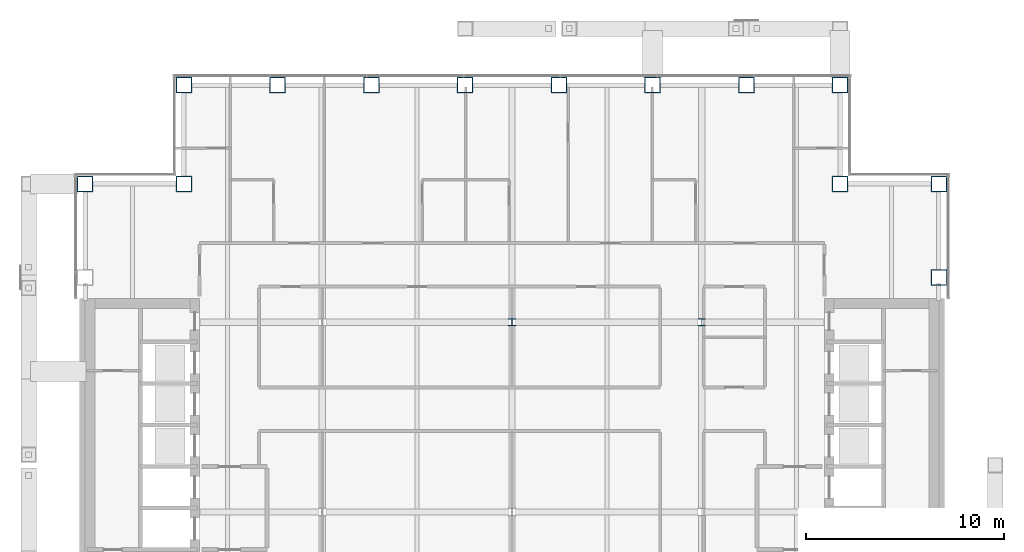
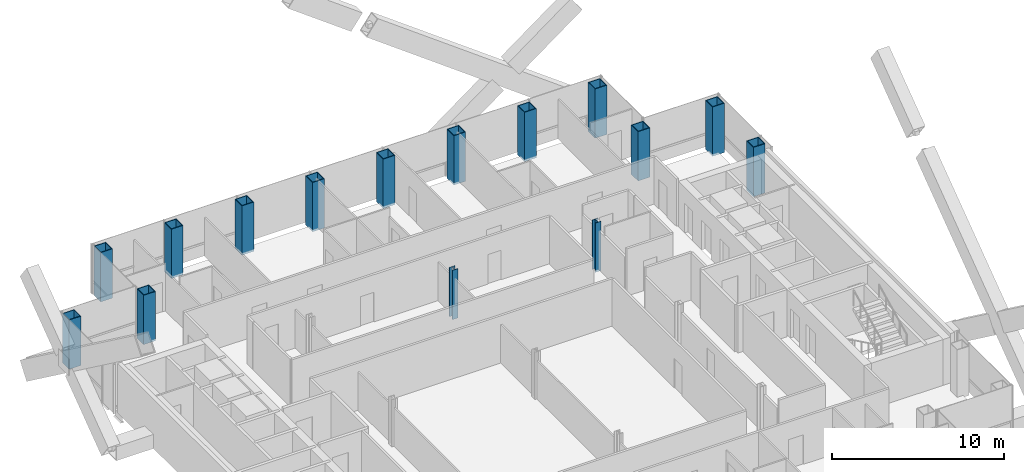
# One storey, part 2 of 16: 15 columns.
"""IFC4 building model written with IfcOpenShell, lengths in metres."""

from ifc_helpers import new_model, si_unit, direction, frame, origin, origin_2d, place, context, subcontext, project, spatial, hollow_rectangle, i_section, extrude, material, material_profile, profile_set, type_object, element, save


model = new_model("IFC4")

# Units and contexts
model_context = context("Model", 3, precision=1e-05, world=origin(), true_north=direction((0.0, 1.0)))
body_context = subcontext(model_context, "Body", "Model", "MODEL_VIEW")
ifc_project = project(units=[si_unit("LENGTHUNIT", "METRE"), si_unit("AREAUNIT", "SQUARE_METRE"), si_unit("VOLUMEUNIT", "CUBIC_METRE"), si_unit("PLANEANGLEUNIT", "RADIAN"), si_unit("MASSUNIT", "GRAM", prefix="KILO")], contexts=[model_context])

# Site, building, storey
site_placement = place(None, origin())
site = spatial("IfcSite", under=ifc_project, at=site_placement, CompositionType="ELEMENT")
building_placement = place(site_placement, origin())
building = spatial("IfcBuilding", under=site, at=building_placement, Name="Cobrizo Arcos Hotel Tower", CompositionType="ELEMENT")
storey_placement = place(building_placement, frame((0.0, 0.0, 172.5)))
storey = spatial("IfcBuildingStorey", under=building, at=storey_placement, Name="L44", CompositionType="ELEMENT", Elevation=172.5)

# Columns
ifc_material_1 = material(Name="Steel ASTM A572 Grade 50", Category="steel")
ifc_material_profile_1 = material_profile(ifc_material_1, hollow_rectangle(XDim=0.800048828125, YDim=0.800048828125, WallThickness=0.044921875, at=origin_2d()), Name="BOX 800X800X45")
ifc_profile_set_1 = profile_set([ifc_material_profile_1], Name="Steel ASTM A572 Grade 50")
column_type_1 = type_object("IfcColumnType", Name="BOX 800X800X45 column", PredefinedType="COLUMN", material=ifc_profile_set_1)
for number, where, z_axis, x_axis, name in (
    (1, (-16.60009765625, 21.60009765625, -0.14990234375), (0.0, 0.0, 1.0), (1.0, 0.0, 0.0), "Perimeter column C8, L44, no. 00"),
    (2, (-11.85693359375, 21.60009765625, -0.14990234375), (0.0, 0.0, 1.0), (1.0, 0.0, 0.0), "Perimeter column C8, L44, no. 02"),
    (3, (-7.114013671875, 21.60009765625, -0.14990234375), (0.0, 0.0, 1.0), (1.0, 0.0, 0.0), "Perimeter column C8, L44, no. 04"),
    (4, (-2.37109375, 21.60009765625, -0.14990234375), (0.0, 0.0, 1.0), (1.0, 0.0, 0.0), "Perimeter column C8, L44, no. 06"),
    (5, (2.37109375, 21.60009765625, -0.14990234375), (0.0, 0.0, 1.0), (1.0, 0.0, 0.0), "Perimeter column C8, L44, no. 08"),
    (6, (7.114013671875, 21.60009765625, -0.14990234375), (0.0, 0.0, 1.0), (1.0, 0.0, 0.0), "Perimeter column C8, L44, no. 10"),
    (7, (11.85693359375, 21.60009765625, -0.14990234375), (0.0, 0.0, 1.0), (1.0, 0.0, 0.0), "Perimeter column C8, L44, no. 12"),
    (8, (16.60009765625, 21.60009765625, -0.14990234375), (0.0, 0.0, 1.0), (1.0, 0.0, 0.0), "Perimeter column C8, L44, no. 14"),
    (9, (21.60009765625, 11.85693359375, -0.14990234375), (0.0, 0.0, 1.0), (1.0, 0.0, 0.0), "Perimeter column C8, L44, no. 20"),
    (10, (21.60009765625, 16.60009765625, -0.14990234375), (0.0, 0.0, 1.0), (1.0, 0.0, 0.0), "Perimeter column C8, L44, no. 22"),
    (11, (-21.60009765625, 16.60009765625, -0.14990234375), (0.0, 0.0, 1.0), (1.0, 0.0, 0.0), "Perimeter column C8, L44, no. 23"),
    (12, (-16.60009765625, 16.60009765625, -0.14990234375), (0.0, 0.0, 1.0), (1.0, 0.0, 0.0), "Perimeter column C8, L44, no. 25"),
    (13, (16.60009765625, 16.60009765625, -0.14990234375), (0.0, 0.0, 1.0), (1.0, 0.0, 0.0), "Perimeter column C8, L44, no. 27"),
):
    element("IfcColumn", number, at=place(storey_placement, frame(where, z_axis=z_axis, x_axis=x_axis)), inside=storey, type_object=column_type_1, Name=name, PredefinedType="COLUMN", context=body_context, shape_type="SweptSolid", body=[
        extrude(hollow_rectangle(XDim=0.800048828125, YDim=0.800048828125, WallThickness=0.044921875, at=origin_2d()), origin(), (0.0, 0.0, 1.0), 3.5),
    ])
ifc_material_2 = material(Name="Steel ASTM A992 Grade 50", Category="steel")
ifc_material_profile_2 = material_profile(ifc_material_2, i_section(OverallWidth=0.373291015625, OverallDepth=0.373291015625, WebThickness=0.016357421875, FlangeThickness=0.026123046875, at=origin_2d()), Name="W14X132")
ifc_profile_set_2 = profile_set([ifc_material_profile_2], Name="Steel ASTM A992 Grade 50")
column_type_2 = type_object("IfcColumnType", Name="W14X132 interior column", PredefinedType="COLUMN", material=ifc_profile_set_2)
for number, where, z_axis, x_axis, name in (
    (14, (0.0, 9.60009765625, -0.14990234375), (0.0, 0.0, 1.0), (1.0, 0.0, 0.0), "Interior column C9, L44, no. 05"),
    (15, (9.60009765625, 9.60009765625, -0.14990234375), (0.0, 0.0, 1.0), (1.0, 0.0, 0.0), "Interior column C9, L44, no. 08"),
):
    element("IfcColumn", number, at=place(storey_placement, frame(where, z_axis=z_axis, x_axis=x_axis)), inside=storey, type_object=column_type_2, Name=name, PredefinedType="COLUMN", context=body_context, shape_type="SweptSolid", body=[
        extrude(i_section(OverallWidth=0.373291015625, OverallDepth=0.373291015625, WebThickness=0.016357421875, FlangeThickness=0.026123046875, at=origin_2d()), origin(), (0.0, 0.0, 1.0), 3.5),
    ])

save(model, "model.ifc")
